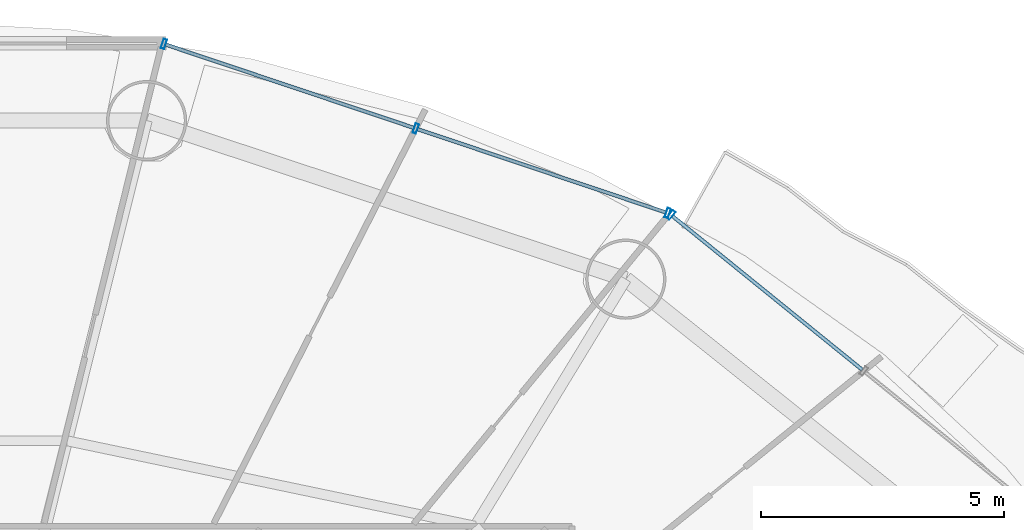
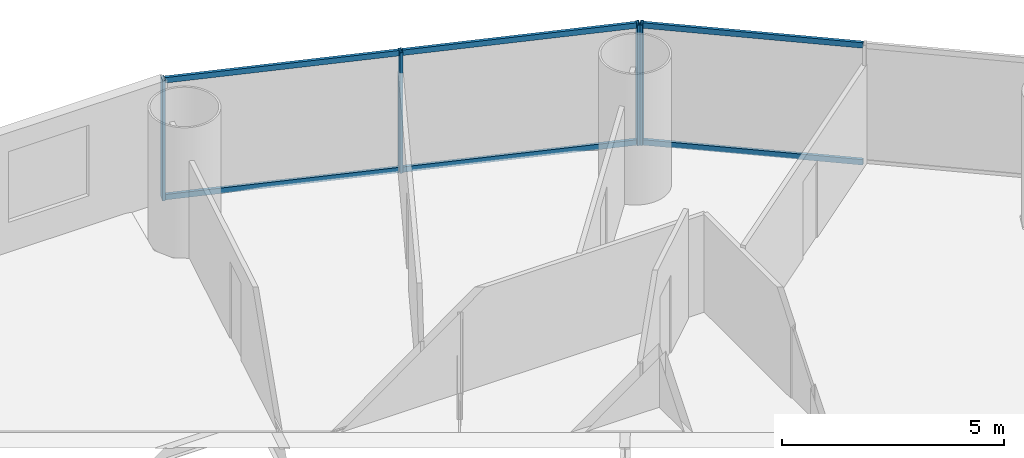
# One storey, part 18 of 28: 10 members, 2 elements without a shape of their own.
"""IFC4 building model written with IfcOpenShell, lengths in metres."""

from ifc_helpers import new_model, si_unit, direction, frame, origin, origin_2d, place, context, subcontext, project, spatial, hollow_rectangle, extrude, source, transform, mapped, material, material_profile, profile_set, type_object, element, aggregate, save


model = new_model("IFC4")

# Units and contexts
model_context = context("Model", 3, precision=1e-05, world=origin(), true_north=direction((-0.2419218956, 0.970295726276)))
body_context = subcontext(model_context, "Body", "Model", "MODEL_VIEW")
ifc_project = project(units=[si_unit("LENGTHUNIT", "METRE"), si_unit("AREAUNIT", "SQUARE_METRE"), si_unit("VOLUMEUNIT", "CUBIC_METRE"), si_unit("PLANEANGLEUNIT", "RADIAN"), si_unit("MASSUNIT", "GRAM", prefix="KILO")], contexts=[model_context])

# Site, building, storey
site_placement = place(None, origin())
site = spatial("IfcSite", under=ifc_project, at=site_placement, CompositionType="ELEMENT")
building_placement = place(site_placement, origin())
building = spatial("IfcBuilding", under=site, at=building_placement, Name="Cobrevalo Terracotta Tower", CompositionType="ELEMENT")
storey_placement = place(building_placement, frame((0.0, 0.0, 38.39990234375)))
storey = spatial("IfcBuildingStorey", under=building, at=storey_placement, Name="L09", CompositionType="ELEMENT", Elevation=38.39990234375)

# Curtain wall, member
ifc_material = material(Name="Anodized aluminium", Category="aluminium")
curtain_wall_type = type_object("IfcCurtainWallType", Name="Lower-tower unitised acoustic low-E curtain wall CW-U1", PredefinedType="NOTDEFINED", material=ifc_material)
curtain_wall_1_placement = place(storey_placement, origin())
curtain_wall_1 = element("IfcCurtainWall", 1, at=curtain_wall_1_placement, inside=storey, type_object=curtain_wall_type, Name="L09 curtain wall CW-L09-S02", PredefinedType="NOTDEFINED")
ifc_material_profile_1 = material_profile(ifc_material, hollow_rectangle(XDim=0.074951171875, YDim=0.199951171875, WallThickness=0.0048828125, at=origin_2d()), Name="CWM 75x200")
ifc_profile_set_1 = profile_set([ifc_material_profile_1], Name="Anodized aluminium")
member_type_1 = type_object("IfcMemberType", Name="Lower/mid tower unitised mullion 75x200", PredefinedType="MULLION", material=ifc_profile_set_1)
shared_shape_1 = source(origin(), body_context, "Body", "SweptSolid", [
    extrude(hollow_rectangle(XDim=0.074951171875, YDim=0.199951171875, WallThickness=0.0048828125, at=origin_2d()), origin(), (0.0, 0.0, 1.0), 3.320068359375),
])
member_1_placement = place(storey_placement, frame((54.1259765625, 46.289306640625, 0.0), z_axis=(0.0, 0.0, 1.0), x_axis=(-0.777003153187, 0.629496703675, 0.0)))
member_1 = element("IfcMember", 2, at=member_1_placement, type_object=member_type_1, Name="CW-L09-S02 vertical mullion 03", PredefinedType="MULLION", context=body_context, shape_type="MappedRepresentation", body=[
    mapped(shared_shape_1, transform((0.0, 0.0, 0.0), scale=1.0)),
])

# Curtain wall, members
curtain_wall_2_placement = place(storey_placement, origin())
curtain_wall_2 = element("IfcCurtainWall", 3, at=curtain_wall_2_placement, inside=storey, type_object=curtain_wall_type, Name="L09 curtain wall CW-L09-S03", PredefinedType="NOTDEFINED")
member_2_placement = place(storey_placement, frame((54.056884765625, 46.327392578125, 0.0), z_axis=(0.0, 0.0, 1.0), x_axis=(-0.948046393597, 0.318132103987, 0.0)))
member_2 = element("IfcMember", 4, at=member_2_placement, type_object=member_type_1, Name="CW-L09-S03 vertical mullion 01", PredefinedType="MULLION", context=body_context, shape_type="MappedRepresentation", body=[
    mapped(shared_shape_1, transform((0.0, 0.0, 0.0), scale=1.0)),
])
member_3_placement = place(storey_placement, frame((48.873291015625, 48.06689453125, 0.0), z_axis=(0.0, 0.0, 1.0), x_axis=(-0.948046393597, 0.318132103987, 0.0)))
member_3 = element("IfcMember", 5, at=member_3_placement, type_object=member_type_1, Name="CW-L09-S03 vertical mullion 02", PredefinedType="MULLION", context=body_context, shape_type="MappedRepresentation", body=[
    mapped(shared_shape_1, transform((0.0, 0.0, 0.0), scale=1.0)),
])
member_4_placement = place(storey_placement, frame((43.689697265625, 49.806396484375, 0.0), z_axis=(0.0, 0.0, 1.0), x_axis=(-0.948046393597, 0.318132103987, 0.0)))
member_4 = element("IfcMember", 6, at=member_4_placement, type_object=member_type_1, Name="CW-L09-S03 vertical mullion 03", PredefinedType="MULLION", context=body_context, shape_type="MappedRepresentation", body=[
    mapped(shared_shape_1, transform((0.0, 0.0, 0.0), scale=1.0)),
])

# Member
ifc_material_profile_2 = material_profile(ifc_material, hollow_rectangle(XDim=0.074951171875, YDim=0.14990234375, WallThickness=0.00439453125, at=origin_2d()), Name="CWT 75x150")
ifc_profile_set_2 = profile_set([ifc_material_profile_2], Name="Anodized aluminium")
member_type_2 = type_object("IfcMemberType", Name="Tower unitised aluminium transom 75x150", PredefinedType="USERDEFINED", material=ifc_profile_set_2)
shared_shape_2 = source(origin(), body_context, "Body", "SweptSolid", [
    extrude(hollow_rectangle(XDim=0.074951171875, YDim=0.14990234375, WallThickness=0.00439453125, at=origin_2d()), origin(), (0.0, 0.0, 1.0), 5.0234375),
])
member_5_placement = place(storey_placement, frame((58.060302734375, 43.10205078125, 0.050048828125), z_axis=(-0.777022991593, 0.629472215857, 0.0), x_axis=(-0.629472215857, -0.777022991593, 0.0)))
member_5 = element("IfcMember", 7, at=member_5_placement, type_object=member_type_2, Name="CW-L09-S02 transom B02-T1", ObjectType="TRANSOM", PredefinedType="USERDEFINED", context=body_context, shape_type="MappedRepresentation", body=[
    mapped(shared_shape_2, transform((0.0, 0.0, 0.0), scale=1.0)),
])

member_6_placement = place(storey_placement, frame((58.060302734375, 43.10205078125, 3.27001953125), z_axis=(-0.777022991593, 0.629472215857, 0.0), x_axis=(-0.629472215857, -0.777022991593, 0.0)))
member_6 = element("IfcMember", 8, at=member_6_placement, type_object=member_type_2, Name="CW-L09-S02 transom B02-T2", ObjectType="TRANSOM", PredefinedType="USERDEFINED", context=body_context, shape_type="MappedRepresentation", body=[
    mapped(shared_shape_2, transform((0.0, 0.0, 0.0), scale=1.0)),
])

aggregate(curtain_wall_1, [member_1, member_5, member_6])

shared_shape_3 = source(origin(), body_context, "Body", "SweptSolid", [
    extrude(hollow_rectangle(XDim=0.074951171875, YDim=0.14990234375, WallThickness=0.00439453125, at=origin_2d()), origin(), (0.0, 0.0, 1.0), 5.387939453125),
])
member_7_placement = place(storey_placement, frame((54.01904296875, 46.340087890625, 0.050048828125), z_axis=(-0.94804244582, 0.318143868278, 0.0), x_axis=(-0.318143868278, -0.94804244582, 0.0)))
member_7 = element("IfcMember", 9, at=member_7_placement, type_object=member_type_2, Name="CW-L09-S03 transom B01-T1", ObjectType="TRANSOM", PredefinedType="USERDEFINED", context=body_context, shape_type="MappedRepresentation", body=[
    mapped(shared_shape_3, transform((0.0, 0.0, 0.0), scale=1.0)),
])

member_8_placement = place(storey_placement, frame((54.01904296875, 46.340087890625, 3.27001953125), z_axis=(-0.94804244582, 0.318143868278, 0.0), x_axis=(-0.318143868278, -0.94804244582, 0.0)))
member_8 = element("IfcMember", 10, at=member_8_placement, type_object=member_type_2, Name="CW-L09-S03 transom B01-T2", ObjectType="TRANSOM", PredefinedType="USERDEFINED", context=body_context, shape_type="MappedRepresentation", body=[
    mapped(shared_shape_3, transform((0.0, 0.0, 0.0), scale=1.0)),
])

member_9_placement = place(storey_placement, frame((48.83544921875, 48.07958984375, 0.050048828125), z_axis=(-0.94804244582, 0.318143868278, 0.0), x_axis=(-0.318143868278, -0.94804244582, 0.0)))
member_9 = element("IfcMember", 11, at=member_9_placement, type_object=member_type_2, Name="CW-L09-S03 transom B02-T1", ObjectType="TRANSOM", PredefinedType="USERDEFINED", context=body_context, shape_type="MappedRepresentation", body=[
    mapped(shared_shape_3, transform((0.0, 0.0, 0.0), scale=1.0)),
])

member_10_placement = place(storey_placement, frame((48.83544921875, 48.07958984375, 3.27001953125), z_axis=(-0.94804244582, 0.318143868278, 0.0), x_axis=(-0.318143868278, -0.94804244582, 0.0)))
member_10 = element("IfcMember", 12, at=member_10_placement, type_object=member_type_2, Name="CW-L09-S03 transom B02-T2", ObjectType="TRANSOM", PredefinedType="USERDEFINED", context=body_context, shape_type="MappedRepresentation", body=[
    mapped(shared_shape_3, transform((0.0, 0.0, 0.0), scale=1.0)),
])

aggregate(curtain_wall_2, [member_2, member_3, member_4, member_7, member_8, member_9, member_10])

save(model, "model.ifc")
